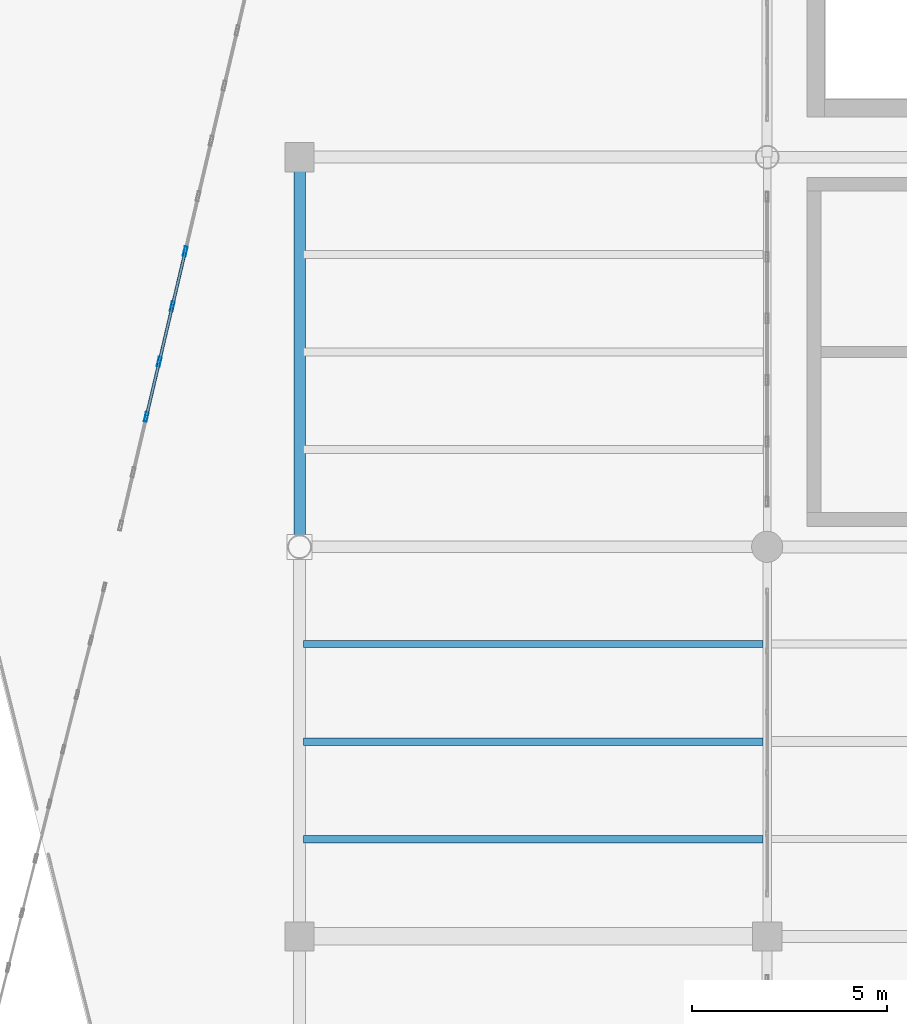
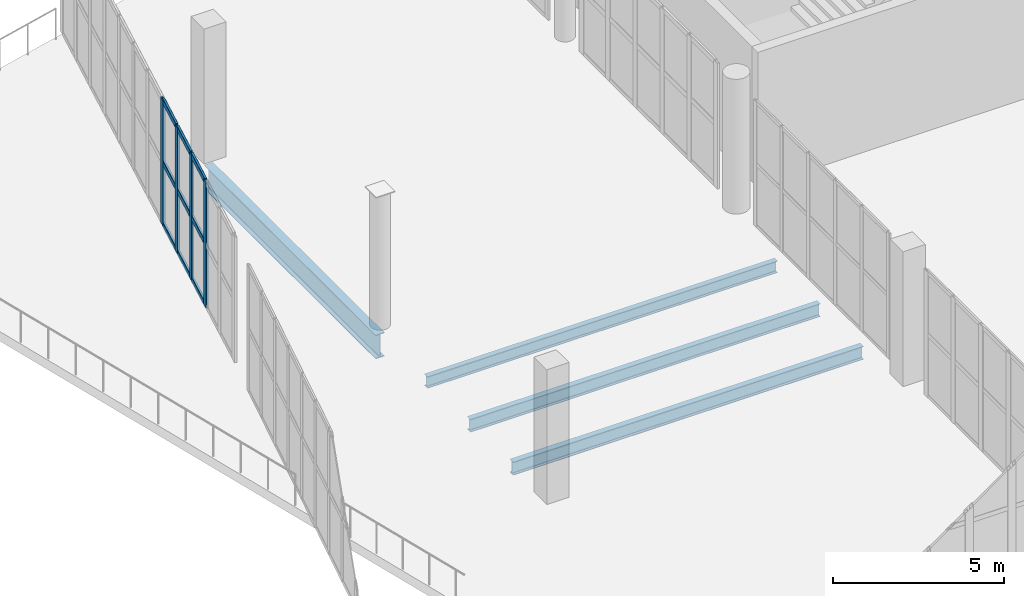
# One storey, part 43 of 136: 13 members, 4 beams, 1 element without a shape of its own.
"""IFC4 building model written with IfcOpenShell, lengths in metres."""

from ifc_helpers import new_model, si_unit, direction, frame, origin, origin_2d, place, context, subcontext, project, spatial, hollow_rectangle, i_section, extrude, material, layer, layer_set, material_profile, profile_set, type_object, element, aggregate, save


model = new_model("IFC4")

# Units and contexts
model_context = context("Model", 3, precision=1e-05, world=origin(), true_north=direction((0.0, 1.0)))
body_context = subcontext(model_context, "Body", "Model", "MODEL_VIEW")
ifc_project = project(units=[si_unit("LENGTHUNIT", "METRE"), si_unit("AREAUNIT", "SQUARE_METRE"), si_unit("VOLUMEUNIT", "CUBIC_METRE"), si_unit("PLANEANGLEUNIT", "RADIAN"), si_unit("MASSUNIT", "GRAM", prefix="KILO")], contexts=[model_context])

# Site, building, storey
site_placement = place(None, origin())
site = spatial("IfcSite", under=ifc_project, at=site_placement, CompositionType="ELEMENT")
building_placement = place(site_placement, origin())
building = spatial("IfcBuilding", under=site, at=building_placement, Name="Brinegate Civic Arena", CompositionType="ELEMENT")
storey_placement = place(building_placement, frame((0.0, 0.0, 5.39990234375)))
storey = spatial("IfcBuildingStorey", under=building, at=storey_placement, Name="L01", CompositionType="ELEMENT", Elevation=5.39990234375)

# Curtain wall, members
ifc_material_1 = material(Name="Marine grade aluminium", Category="aluminium")
ifc_layer = layer(ifc_material_1, 0.215087890625, Name="Marine grade aluminium")
ifc_layer_set = layer_set([ifc_layer], Name="Marine grade aluminium")
curtain_wall_type = type_object("IfcCurtainWallType", Name="CW-FOYER-GLAZED-02", PredefinedType="USERDEFINED", material=ifc_layer_set)
curtain_wall_placement = place(storey_placement, origin())
curtain_wall = element("IfcCurtainWall", 1, at=curtain_wall_placement, inside=storey, type_object=curtain_wall_type, Name="Curtain Wall CWA-002", ObjectType="GLAZED CURTAIN WALL", PredefinedType="USERDEFINED")
ifc_material_profile_1 = material_profile(ifc_material_1, hollow_rectangle(XDim=0.074951171875, YDim=0.25, WallThickness=0.006103515625, InnerFilletRadius=0.00390625, OuterFilletRadius=0.008056640625, at=origin_2d()), Name="MUL75X250")
ifc_profile_set_1 = profile_set([ifc_material_profile_1], Name="Marine grade aluminium")
member_type_1 = type_object("IfcMemberType", Name="CW-MULLION-75X250", PredefinedType="MULLION", material=ifc_profile_set_1)
member_1_placement = place(storey_placement, frame((32.066650390625, 75.333251953125, 0.0), z_axis=(0.0, 0.0, 1.0), x_axis=(-0.973417168334, 0.229039333722, 0.0)))
member_1 = element("IfcMember", 2, at=member_1_placement, type_object=member_type_1, Name="CWA-002 mullion 3", PredefinedType="MULLION", context=body_context, shape_type="SweptSolid", body=[
    extrude(hollow_rectangle(XDim=0.074951171875, YDim=0.25, WallThickness=0.006103515625, InnerFilletRadius=0.00390625, OuterFilletRadius=0.008056640625, at=origin_2d()), origin(), (0.0, 0.0, 1.0), 4.47021484375),
])
member_2_placement = place(storey_placement, frame((32.39990234375, 76.75, 0.0), z_axis=(0.0, 0.0, 1.0), x_axis=(-0.973417168334, 0.229039333722, 0.0)))
member_2 = element("IfcMember", 3, at=member_2_placement, type_object=member_type_1, Name="CWA-002 mullion 4", PredefinedType="MULLION", context=body_context, shape_type="SweptSolid", body=[
    extrude(hollow_rectangle(XDim=0.074951171875, YDim=0.25, WallThickness=0.006103515625, InnerFilletRadius=0.00390625, OuterFilletRadius=0.008056640625, at=origin_2d()), origin(), (0.0, 0.0, 1.0), 4.47021484375),
])
member_3_placement = place(storey_placement, frame((32.7333984375, 78.166748046875, 0.0), z_axis=(0.0, 0.0, 1.0), x_axis=(-0.973417168334, 0.229039333722, 0.0)))
member_3 = element("IfcMember", 4, at=member_3_placement, type_object=member_type_1, Name="CWA-002 mullion 5", PredefinedType="MULLION", context=body_context, shape_type="SweptSolid", body=[
    extrude(hollow_rectangle(XDim=0.074951171875, YDim=0.25, WallThickness=0.006103515625, InnerFilletRadius=0.00390625, OuterFilletRadius=0.008056640625, at=origin_2d()), origin(), (0.0, 0.0, 1.0), 4.47021484375),
])
member_4_placement = place(storey_placement, frame((33.066650390625, 79.583251953125, 0.0), z_axis=(0.0, 0.0, 1.0), x_axis=(-0.973417168334, 0.229039333722, 0.0)))
member_4 = element("IfcMember", 5, at=member_4_placement, type_object=member_type_1, Name="CWA-002 mullion 6", PredefinedType="MULLION", context=body_context, shape_type="SweptSolid", body=[
    extrude(hollow_rectangle(XDim=0.074951171875, YDim=0.25, WallThickness=0.006103515625, InnerFilletRadius=0.00390625, OuterFilletRadius=0.008056640625, at=origin_2d()), origin(), (0.0, 0.0, 1.0), 4.47021484375),
])
ifc_material_profile_2 = material_profile(ifc_material_1, hollow_rectangle(XDim=0.074951171875, YDim=0.18994140625, WallThickness=0.006103515625, InnerFilletRadius=0.00390625, OuterFilletRadius=0.008056640625, at=origin_2d()), Name="TRN75X190")
ifc_profile_set_2 = profile_set([ifc_material_profile_2], Name="Marine grade aluminium")
member_type_2 = type_object("IfcMemberType", Name="CW-TRANSOM-75X190", PredefinedType="USERDEFINED", material=ifc_profile_set_2)
member_5_placement = place(storey_placement, frame((32.0751953125, 75.369873046875, 0.03759765625), z_axis=(0.229068911478, 0.973410208388, 0.0), x_axis=(-0.973410208388, 0.229068911478, 0.0)))
member_5 = element("IfcMember", 6, at=member_5_placement, type_object=member_type_2, Name="CWA-002 transom 3.1", ObjectType="TRANSOM", PredefinedType="USERDEFINED", context=body_context, shape_type="SweptSolid", body=[
    extrude(hollow_rectangle(XDim=0.074951171875, YDim=0.18994140625, WallThickness=0.006103515625, InnerFilletRadius=0.00390625, OuterFilletRadius=0.008056640625, at=origin_2d()), origin(), (0.0, 0.0, 1.0), 1.380126953125),
])
member_6_placement = place(storey_placement, frame((32.0751953125, 75.369873046875, 2.235107421875), z_axis=(0.229068911478, 0.973410208388, 0.0), x_axis=(-0.973410208388, 0.229068911478, 0.0)))
member_6 = element("IfcMember", 7, at=member_6_placement, type_object=member_type_2, Name="CWA-002 transom 3.2", ObjectType="TRANSOM", PredefinedType="USERDEFINED", context=body_context, shape_type="SweptSolid", body=[
    extrude(hollow_rectangle(XDim=0.074951171875, YDim=0.18994140625, WallThickness=0.006103515625, InnerFilletRadius=0.00390625, OuterFilletRadius=0.008056640625, at=origin_2d()), origin(), (0.0, 0.0, 1.0), 1.380126953125),
])
member_7_placement = place(storey_placement, frame((32.0751953125, 75.369873046875, 4.4326171875), z_axis=(0.229068911478, 0.973410208388, 0.0), x_axis=(-0.973410208388, 0.229068911478, 0.0)))
member_7 = element("IfcMember", 8, at=member_7_placement, type_object=member_type_2, Name="CWA-002 transom 3.3", ObjectType="TRANSOM", PredefinedType="USERDEFINED", context=body_context, shape_type="SweptSolid", body=[
    extrude(hollow_rectangle(XDim=0.074951171875, YDim=0.18994140625, WallThickness=0.006103515625, InnerFilletRadius=0.00390625, OuterFilletRadius=0.008056640625, at=origin_2d()), origin(), (0.0, 0.0, 1.0), 1.380126953125),
])
member_8_placement = place(storey_placement, frame((32.40869140625, 76.78662109375, 0.03759765625), z_axis=(0.229068911478, 0.973410208388, 0.0), x_axis=(-0.973410208388, 0.229068911478, 0.0)))
member_8 = element("IfcMember", 9, at=member_8_placement, type_object=member_type_2, Name="CWA-002 transom 4.1", ObjectType="TRANSOM", PredefinedType="USERDEFINED", context=body_context, shape_type="SweptSolid", body=[
    extrude(hollow_rectangle(XDim=0.074951171875, YDim=0.18994140625, WallThickness=0.006103515625, InnerFilletRadius=0.00390625, OuterFilletRadius=0.008056640625, at=origin_2d()), origin(), (0.0, 0.0, 1.0), 1.380126953125),
])
member_9_placement = place(storey_placement, frame((32.40869140625, 76.78662109375, 2.235107421875), z_axis=(0.229068911478, 0.973410208388, 0.0), x_axis=(-0.973410208388, 0.229068911478, 0.0)))
member_9 = element("IfcMember", 10, at=member_9_placement, type_object=member_type_2, Name="CWA-002 transom 4.2", ObjectType="TRANSOM", PredefinedType="USERDEFINED", context=body_context, shape_type="SweptSolid", body=[
    extrude(hollow_rectangle(XDim=0.074951171875, YDim=0.18994140625, WallThickness=0.006103515625, InnerFilletRadius=0.00390625, OuterFilletRadius=0.008056640625, at=origin_2d()), origin(), (0.0, 0.0, 1.0), 1.380126953125),
])
member_10_placement = place(storey_placement, frame((32.40869140625, 76.78662109375, 4.4326171875), z_axis=(0.229068911478, 0.973410208388, 0.0), x_axis=(-0.973410208388, 0.229068911478, 0.0)))
member_10 = element("IfcMember", 11, at=member_10_placement, type_object=member_type_2, Name="CWA-002 transom 4.3", ObjectType="TRANSOM", PredefinedType="USERDEFINED", context=body_context, shape_type="SweptSolid", body=[
    extrude(hollow_rectangle(XDim=0.074951171875, YDim=0.18994140625, WallThickness=0.006103515625, InnerFilletRadius=0.00390625, OuterFilletRadius=0.008056640625, at=origin_2d()), origin(), (0.0, 0.0, 1.0), 1.380126953125),
])
member_11_placement = place(storey_placement, frame((32.741943359375, 78.203125, 0.03759765625), z_axis=(0.229029476125, 0.973419487716, 0.0), x_axis=(-0.973419487716, 0.229029476125, 0.0)))
member_11 = element("IfcMember", 12, at=member_11_placement, type_object=member_type_2, Name="CWA-002 transom 5.1", ObjectType="TRANSOM", PredefinedType="USERDEFINED", context=body_context, shape_type="SweptSolid", body=[
    extrude(hollow_rectangle(XDim=0.074951171875, YDim=0.18994140625, WallThickness=0.006103515625, InnerFilletRadius=0.00390625, OuterFilletRadius=0.008056640625, at=origin_2d()), origin(), (0.0, 0.0, 1.0), 1.38037109375),
])
member_12_placement = place(storey_placement, frame((32.741943359375, 78.203125, 2.235107421875), z_axis=(0.229029476125, 0.973419487716, 0.0), x_axis=(-0.973419487716, 0.229029476125, 0.0)))
member_12 = element("IfcMember", 13, at=member_12_placement, type_object=member_type_2, Name="CWA-002 transom 5.2", ObjectType="TRANSOM", PredefinedType="USERDEFINED", context=body_context, shape_type="SweptSolid", body=[
    extrude(hollow_rectangle(XDim=0.074951171875, YDim=0.18994140625, WallThickness=0.006103515625, InnerFilletRadius=0.00390625, OuterFilletRadius=0.008056640625, at=origin_2d()), origin(), (0.0, 0.0, 1.0), 1.38037109375),
])
member_13_placement = place(storey_placement, frame((32.741943359375, 78.203125, 4.4326171875), z_axis=(0.229029476125, 0.973419487716, 0.0), x_axis=(-0.973419487716, 0.229029476125, 0.0)))
member_13 = element("IfcMember", 14, at=member_13_placement, type_object=member_type_2, Name="CWA-002 transom 5.3", ObjectType="TRANSOM", PredefinedType="USERDEFINED", context=body_context, shape_type="SweptSolid", body=[
    extrude(hollow_rectangle(XDim=0.074951171875, YDim=0.18994140625, WallThickness=0.006103515625, InnerFilletRadius=0.00390625, OuterFilletRadius=0.008056640625, at=origin_2d()), origin(), (0.0, 0.0, 1.0), 1.38037109375),
])
aggregate(curtain_wall, [member_1, member_2, member_3, member_4, member_5, member_6, member_7, member_8, member_9, member_10, member_11, member_12, member_13])

# Beams
ifc_material_2 = material(Name="Steel S355", Category="steel")
ifc_material_profile_3 = material_profile(ifc_material_2, i_section(OverallWidth=0.2939453125, OverallDepth=0.85107421875, WebThickness=0.01611328125, FlangeThickness=0.027099609375, FilletRadius=0.02197265625, at=origin_2d()), Name="W840X226")
ifc_profile_set_3 = profile_set([ifc_material_profile_3], Name="Steel S355")
beam_type_1 = type_object("IfcBeamType", Name="GIRDER-W840X226", PredefinedType="BEAM", material=ifc_profile_set_3)
beam_1_placement = place(storey_placement, frame((36.0, 72.0, -0.764892578125), z_axis=(0.0, 1.0, 0.0), x_axis=(-1.0, 0.0, 0.0)))
element("IfcBeam", 15, at=beam_1_placement, inside=storey, type_object=beam_type_1, Name="Floor Girder BM-L01-GY-03-07", PredefinedType="BEAM", context=body_context, shape_type="SweptSolid", body=[
    extrude(i_section(OverallWidth=0.2939453125, OverallDepth=0.85107421875, WebThickness=0.01611328125, FlangeThickness=0.027099609375, FilletRadius=0.02197265625, at=origin_2d()), origin(), (0.0, 0.0, 1.0), 10.0),
])
ifc_material_profile_4 = material_profile(ifc_material_2, i_section(OverallWidth=0.180908203125, OverallDepth=0.4169921875, WebThickness=0.010986328125, FlangeThickness=0.01806640625, FilletRadius=0.013916015625, at=origin_2d()), Name="W410X85")
ifc_profile_set_4 = profile_set([ifc_material_profile_4], Name="Steel S355")
beam_type_2 = type_object("IfcBeamType", Name="JOIST-W410X85", PredefinedType="JOIST", material=ifc_profile_set_4)
beam_2_placement = place(storey_placement, frame((36.10595703125, 69.5, -0.5478515625), z_axis=(1.0, 0.0, 0.0), x_axis=(0.0, 1.0, 0.0)))
element("IfcBeam", 16, at=beam_2_placement, inside=storey, type_object=beam_type_2, Name="Secondary Joist BM-L01-JX-03-06-3", PredefinedType="JOIST", context=body_context, shape_type="SweptSolid", body=[
    extrude(i_section(OverallWidth=0.180908203125, OverallDepth=0.4169921875, WebThickness=0.010986328125, FlangeThickness=0.01806640625, FilletRadius=0.013916015625, at=origin_2d()), origin(), (0.0, 0.0, 1.0), 11.7880859375),
])
ifc_material_profile_5 = material_profile(ifc_material_2, i_section(OverallWidth=0.195068359375, OverallDepth=0.472900390625, WebThickness=0.011962890625, FlangeThickness=0.02197265625, FilletRadius=0.014892578125, at=origin_2d()), Name="W460X113")
ifc_profile_set_5 = profile_set([ifc_material_profile_5], Name="Steel S355")
beam_type_3 = type_object("IfcBeamType", Name="JOIST-W460X113", PredefinedType="JOIST", material=ifc_profile_set_5)
beam_3_placement = place(storey_placement, frame((36.10595703125, 64.5, -0.575927734375), z_axis=(1.0, 0.0, 0.0), x_axis=(0.0, 1.0, 0.0)))
element("IfcBeam", 17, at=beam_3_placement, inside=storey, type_object=beam_type_3, Name="Secondary Joist BM-L01-JX-03-06-1", PredefinedType="JOIST", context=body_context, shape_type="SweptSolid", body=[
    extrude(i_section(OverallWidth=0.195068359375, OverallDepth=0.472900390625, WebThickness=0.011962890625, FlangeThickness=0.02197265625, FilletRadius=0.014892578125, at=origin_2d()), origin(), (0.0, 0.0, 1.0), 11.7880859375),
])
ifc_material_profile_6 = material_profile(ifc_material_2, i_section(OverallWidth=0.19091796875, OverallDepth=0.4599609375, WebThickness=0.010009765625, FlangeThickness=0.01611328125, FilletRadius=0.014892578125, at=origin_2d()), Name="W460X82")
ifc_profile_set_6 = profile_set([ifc_material_profile_6], Name="Steel S355")
beam_type_4 = type_object("IfcBeamType", Name="JOIST-W460X82", PredefinedType="JOIST", material=ifc_profile_set_6)
beam_4_placement = place(storey_placement, frame((36.10595703125, 67.0, -0.56982421875), z_axis=(1.0, 0.0, 0.0), x_axis=(0.0, 1.0, 0.0)))
element("IfcBeam", 18, at=beam_4_placement, inside=storey, type_object=beam_type_4, Name="Secondary Joist BM-L01-JX-03-06-2", PredefinedType="JOIST", context=body_context, shape_type="SweptSolid", body=[
    extrude(i_section(OverallWidth=0.19091796875, OverallDepth=0.4599609375, WebThickness=0.010009765625, FlangeThickness=0.01611328125, FilletRadius=0.014892578125, at=origin_2d()), origin(), (0.0, 0.0, 1.0), 11.7880859375),
])

save(model, "model.ifc")
